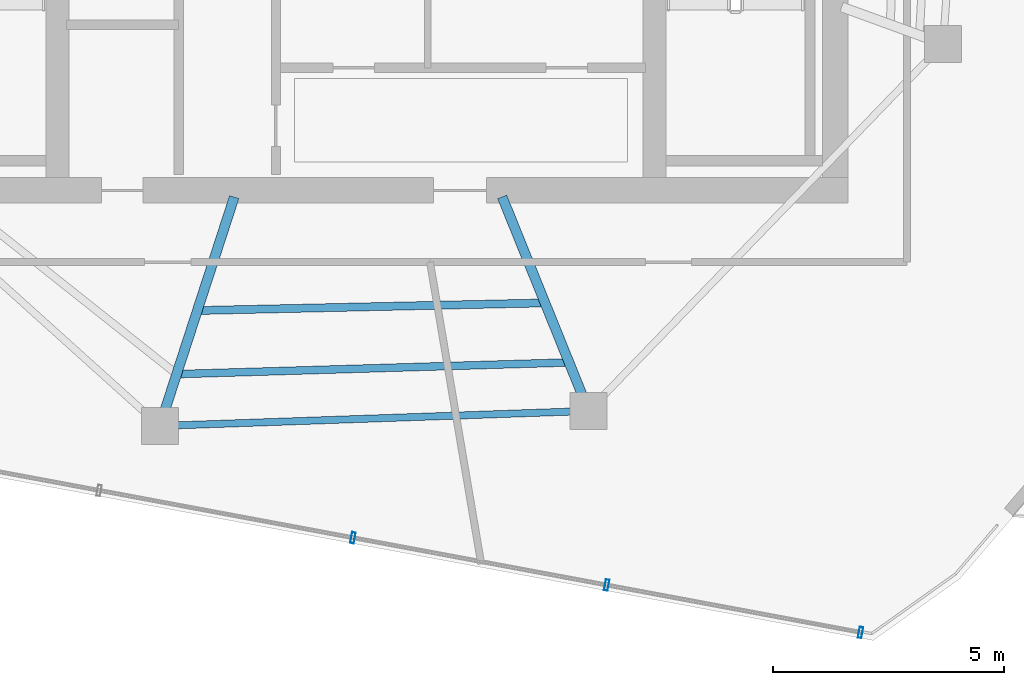
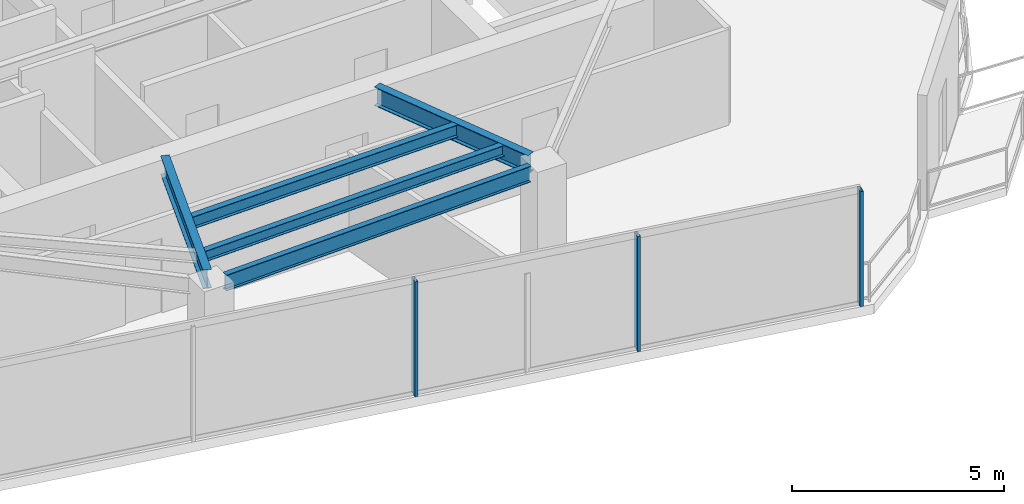
# One storey, part 4 of 18: 5 beams, 3 members, 1 element without a shape of its own.
"""IFC4 building model written with IfcOpenShell, lengths in metres."""

from ifc_helpers import new_model, si_unit, direction, frame, origin, origin_2d, place, context, subcontext, project, spatial, hollow_rectangle, i_section, extrude, material, layer, layer_set, material_profile, profile_set, type_object, element, aggregate, save


model = new_model("IFC4")

# Units and contexts
model_context = context("Model", 3, precision=1e-05, world=origin(), true_north=direction((0.0, 1.0)))
body_context = subcontext(model_context, "Body", "Model", "MODEL_VIEW")
ifc_project = project(units=[si_unit("LENGTHUNIT", "METRE"), si_unit("AREAUNIT", "SQUARE_METRE"), si_unit("VOLUMEUNIT", "CUBIC_METRE"), si_unit("PLANEANGLEUNIT", "RADIAN"), si_unit("MASSUNIT", "GRAM", prefix="KILO")], contexts=[model_context])

# Site, building, storey
site_placement = place(None, origin())
site = spatial("IfcSite", under=ifc_project, at=site_placement, CompositionType="ELEMENT")
building_placement = place(site_placement, origin())
building = spatial("IfcBuilding", under=site, at=building_placement, Name="Qarnah Convention Tower", CompositionType="ELEMENT")
storey_placement = place(building_placement, frame((0.0, 0.0, 253.5)))
storey = spatial("IfcBuildingStorey", under=building, at=storey_placement, Name="L68", CompositionType="ELEMENT", Elevation=253.5)

# Beams
ifc_material_1 = material(Name="Structural steel S355JR", Category="steel")
ifc_material_profile_1 = material_profile(ifc_material_1, i_section(OverallWidth=0.166015625, OverallDepth=0.31201171875, WebThickness=0.007080078125, FlangeThickness=0.010986328125, at=origin_2d()), Name="W310X45")
ifc_profile_set_1 = profile_set([ifc_material_profile_1], Name="Structural steel S355JR")
beam_type_1 = type_object("IfcBeamType", Name="BM-JST-W310", PredefinedType="JOIST", material=ifc_profile_set_1)
beam_1_placement = place(storey_placement, frame((33.467041015625, 14.635009765625, 3.1640625), z_axis=(0.99955680435, 0.029769025486, 0.0), x_axis=(-0.029769025486, 0.99955680435, 0.0)))
element("IfcBeam", 1, at=beam_1_placement, inside=storey, type_object=beam_type_1, Name="L68 joist BM-L68-SJST-07", PredefinedType="JOIST", context=body_context, shape_type="SweptSolid", body=[
    extrude(i_section(OverallWidth=0.166015625, OverallDepth=0.31201171875, WebThickness=0.007080078125, FlangeThickness=0.010986328125, at=origin_2d()), origin(), (0.0, 0.0, 1.0), 8.299560546875),
])
ifc_material_profile_2 = material_profile(ifc_material_1, i_section(OverallWidth=0.172119140625, OverallDepth=0.35595703125, WebThickness=0.007080078125, FlangeThickness=0.011962890625, at=origin_2d()), Name="W360X51")
ifc_profile_set_2 = profile_set([ifc_material_profile_2], Name="Structural steel S355JR")
beam_type_2 = type_object("IfcBeamType", Name="BM-JST-W360", PredefinedType="JOIST", material=ifc_profile_set_2)
beam_2_placement = place(storey_placement, frame((33.9130859375, 16.008056640625, 3.14208984375), z_axis=(0.999759189308, 0.021944552701, 0.0), x_axis=(-0.021944552701, 0.999759189308, 0.0)))
element("IfcBeam", 2, at=beam_2_placement, inside=storey, type_object=beam_type_2, Name="L68 joist BM-L68-IJST-07", PredefinedType="JOIST", context=body_context, shape_type="SweptSolid", body=[
    extrude(i_section(OverallWidth=0.172119140625, OverallDepth=0.35595703125, WebThickness=0.007080078125, FlangeThickness=0.011962890625, at=origin_2d()), origin(), (0.0, 0.0, 1.0), 7.33154296875),
])
ifc_material_profile_3 = material_profile(ifc_material_1, i_section(OverallWidth=0.2119140625, OverallDepth=0.5400390625, WebThickness=0.011962890625, FlangeThickness=0.01904296875, at=origin_2d()), Name="W530X109")
ifc_profile_set_3 = profile_set([ifc_material_profile_3], Name="Structural steel S355JR")
beam_type_3 = type_object("IfcBeamType", Name="BM-RAD-W530A", PredefinedType="BEAM", material=ifc_profile_set_3)
beam_3_placement = place(storey_placement, frame((34.6201171875, 18.45703125, 3.050048828125), z_axis=(-0.309228111383, -0.950987894313, 0.0), x_axis=(0.950987894313, -0.309228111383, 0.0)))
element("IfcBeam", 3, at=beam_3_placement, inside=storey, type_object=beam_type_3, Name="L68 beam BM-L68-RAD-07", PredefinedType="BEAM", context=body_context, shape_type="SweptSolid", body=[
    extrude(i_section(OverallWidth=0.2119140625, OverallDepth=0.5400390625, WebThickness=0.011962890625, FlangeThickness=0.01904296875, at=origin_2d()), origin(), (0.0, 0.0, 1.0), 4.819091796875),
])
beam_4_placement = place(storey_placement, frame((40.407958984375, 18.4609375, 3.050048828125), z_axis=(0.374622495532, -0.927177429536, 0.0), x_axis=(0.927177429536, 0.374622495532, 0.0)))
element("IfcBeam", 4, at=beam_4_placement, inside=storey, type_object=beam_type_3, Name="L68 beam BM-L68-RAD-08", PredefinedType="BEAM", context=body_context, shape_type="SweptSolid", body=[
    extrude(i_section(OverallWidth=0.2119140625, OverallDepth=0.5400390625, WebThickness=0.011962890625, FlangeThickness=0.01904296875, at=origin_2d()), origin(), (0.0, 0.0, 1.0), 4.607421875),
])
ifc_material_profile_4 = material_profile(ifc_material_1, i_section(OverallWidth=0.154052734375, OverallDepth=0.4599609375, WebThickness=0.009033203125, FlangeThickness=0.014892578125, at=origin_2d()), Name="W460X68")
ifc_profile_set_4 = profile_set([ifc_material_profile_4], Name="Structural steel S355JR")
beam_type_4 = type_object("IfcBeamType", Name="BM-SPN-W460B", PredefinedType="SPANDREL", material=ifc_profile_set_4)
beam_5_placement = place(storey_placement, frame((33.403076171875, 13.527099609375, 3.090087890625), z_axis=(0.999392187652, 0.034860511467, 0.0), x_axis=(-0.034860511467, 0.999392187652, 0.0)))
element("IfcBeam", 5, at=beam_5_placement, inside=storey, type_object=beam_type_4, Name="L68 spandrel BM-L68-SPN-07", PredefinedType="SPANDREL", context=body_context, shape_type="SweptSolid", body=[
    extrude(i_section(OverallWidth=0.154052734375, OverallDepth=0.4599609375, WebThickness=0.009033203125, FlangeThickness=0.014892578125, at=origin_2d()), origin(), (0.0, 0.0, 1.0), 8.488037109375),
])

# Curtain wall, members
ifc_material_2 = material(Name="Tempered Low-E dark glass", Category="glass")
ifc_layer = layer(ifc_material_2, 0.176025390625)
ifc_layer_set = layer_set([ifc_layer], Name="Tempered Low-E dark glass")
curtain_wall_type = type_object("IfcCurtainWallType", Name="CWS-05", PredefinedType="NOTDEFINED", material=ifc_layer_set)
curtain_wall_placement = place(storey_placement, origin())
curtain_wall = element("IfcCurtainWall", 6, at=curtain_wall_placement, inside=storey, type_object=curtain_wall_type, Name="L68 unitised curtain wall CW-L68-F2", PredefinedType="NOTDEFINED")
ifc_material_3 = material(Name="Black anodised aluminium", Category="aluminium")
ifc_material_profile_5 = material_profile(ifc_material_3, hollow_rectangle(XDim=0.080078125, YDim=0.239990234375, WallThickness=0.0048828125, at=origin_2d()), Name="MUL-80X240")
ifc_profile_set_5 = profile_set([ifc_material_profile_5], Name="Black anodised aluminium")
member_type = type_object("IfcMemberType", Name="MUL-T5", PredefinedType="MULLION", material=ifc_profile_set_5)
member_1_placement = place(storey_placement, frame((48.14990234375, 9.052978515625, 0.0), z_axis=(0.0, 0.0, 1.0), x_axis=(-0.983062050899, 0.183273031521, 0.0)))
member_1 = element("IfcMember", 7, at=member_1_placement, type_object=member_type, Name="CW-L68-F2 mullion 1", PredefinedType="MULLION", context=body_context, shape_type="SweptSolid", body=[
    extrude(hollow_rectangle(XDim=0.080078125, YDim=0.239990234375, WallThickness=0.0048828125, at=origin_2d()), origin(), (0.0, 0.0, 1.0), 3.320068359375),
])
member_2_placement = place(storey_placement, frame((42.6669921875, 10.0751953125, 0.0), z_axis=(0.0, 0.0, 1.0), x_axis=(-0.983062050899, 0.183273031521, 0.0)))
member_2 = element("IfcMember", 8, at=member_2_placement, type_object=member_type, Name="CW-L68-F2 mullion 2", PredefinedType="MULLION", context=body_context, shape_type="SweptSolid", body=[
    extrude(hollow_rectangle(XDim=0.080078125, YDim=0.239990234375, WallThickness=0.0048828125, at=origin_2d()), origin(), (0.0, 0.0, 1.0), 3.320068359375),
])
member_3_placement = place(storey_placement, frame((37.18408203125, 11.097412109375, 0.0), z_axis=(0.0, 0.0, 1.0), x_axis=(-0.983062050899, 0.183273031521, 0.0)))
member_3 = element("IfcMember", 9, at=member_3_placement, type_object=member_type, Name="CW-L68-F2 mullion 3", PredefinedType="MULLION", context=body_context, shape_type="SweptSolid", body=[
    extrude(hollow_rectangle(XDim=0.080078125, YDim=0.239990234375, WallThickness=0.0048828125, at=origin_2d()), origin(), (0.0, 0.0, 1.0), 3.320068359375),
])
aggregate(curtain_wall, [member_1, member_2, member_3])

save(model, "model.ifc")
